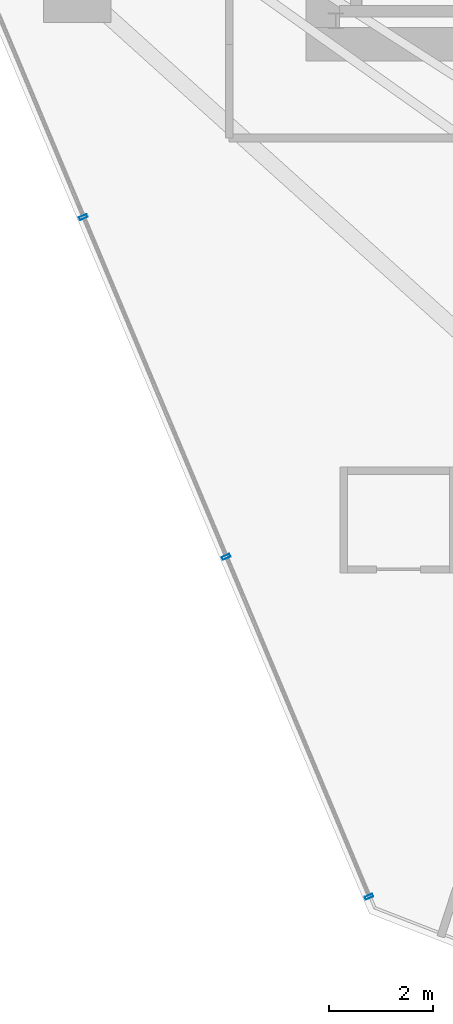
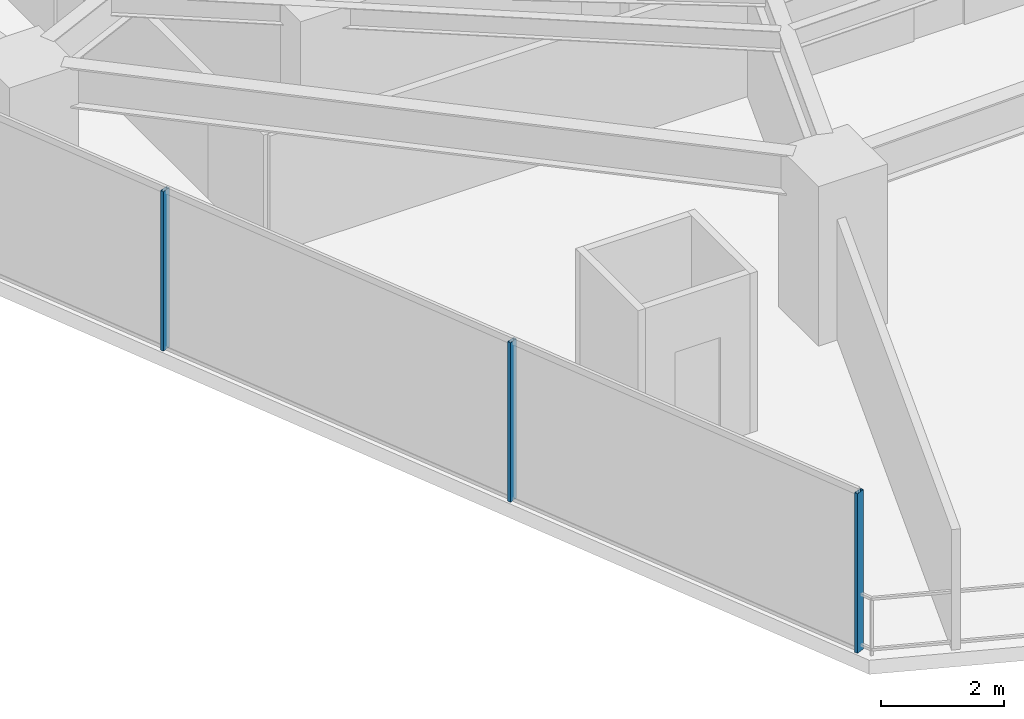
# One storey, part 3 of 30: 3 members, 1 element without a shape of its own.
"""IFC4 building model written with IfcOpenShell, lengths in metres."""

from ifc_helpers import new_model, si_unit, direction, frame, origin, origin_2d, place, context, subcontext, project, spatial, hollow_rectangle, extrude, material, layer, layer_set, material_profile, profile_set, type_object, element, aggregate, save


model = new_model("IFC4")

# Units and contexts
model_context = context("Model", 3, precision=1e-05, world=origin(), true_north=direction((0.0, 1.0)))
body_context = subcontext(model_context, "Body", "Model", "MODEL_VIEW")
ifc_project = project(units=[si_unit("LENGTHUNIT", "METRE"), si_unit("AREAUNIT", "SQUARE_METRE"), si_unit("VOLUMEUNIT", "CUBIC_METRE"), si_unit("PLANEANGLEUNIT", "RADIAN"), si_unit("MASSUNIT", "GRAM", prefix="KILO")], contexts=[model_context])

# Site, building, storey
site_placement = place(None, origin())
site = spatial("IfcSite", under=ifc_project, at=site_placement, CompositionType="ELEMENT")
building_placement = place(site_placement, origin())
building = spatial("IfcBuilding", under=site, at=building_placement, Name="Qarnah Convention Tower", CompositionType="ELEMENT")
storey_placement = place(building_placement, frame((0.0, 0.0, 40.800048828125)))
storey = spatial("IfcBuildingStorey", under=building, at=storey_placement, Name="L09", CompositionType="ELEMENT", Elevation=40.800048828125)

# Curtain wall, members
ifc_material_1 = material(Name="Tempered Low-E dark glass", Category="glass")
ifc_layer = layer(ifc_material_1, 0.16796875)
ifc_layer_set = layer_set([ifc_layer], Name="Tempered Low-E dark glass")
curtain_wall_type = type_object("IfcCurtainWallType", Name="CWS-01", PredefinedType="NOTDEFINED", material=ifc_layer_set)
curtain_wall_placement = place(storey_placement, origin())
curtain_wall = element("IfcCurtainWall", 1, at=curtain_wall_placement, inside=storey, type_object=curtain_wall_type, Name="L09 unitised curtain wall CW-L09-F1", PredefinedType="NOTDEFINED")
ifc_material_2 = material(Name="Black anodised aluminium", Category="aluminium")
ifc_material_profile = material_profile(ifc_material_2, hollow_rectangle(XDim=0.06005859375, YDim=0.159912109375, WallThickness=0.00390625, at=origin_2d()), Name="MUL-60X160")
ifc_profile_set = profile_set([ifc_material_profile], Name="Black anodised aluminium")
member_type = type_object("IfcMemberType", Name="MUL-T1", PredefinedType="MULLION", material=ifc_profile_set)
member_1_placement = place(storey_placement, frame((27.68994140625, 2.201904296875, 0.0), z_axis=(0.0, 0.0, 1.0), x_axis=(-0.387513462631, 0.921864044358, 0.0)))
member_1 = element("IfcMember", 2, at=member_1_placement, type_object=member_type, Name="CW-L09-F1 mullion 1", PredefinedType="MULLION", context=body_context, shape_type="SweptSolid", body=[
    extrude(hollow_rectangle(XDim=0.06005859375, YDim=0.159912109375, WallThickness=0.00390625, at=origin_2d()), origin(), (0.0, 0.0, 1.0), 3.169921875),
])
member_2_placement = place(storey_placement, frame((24.942138671875, 8.73876953125, 0.0), z_axis=(0.0, 0.0, 1.0), x_axis=(-0.387513462631, 0.921864044358, 0.0)))
member_2 = element("IfcMember", 3, at=member_2_placement, type_object=member_type, Name="CW-L09-F1 mullion 2", PredefinedType="MULLION", context=body_context, shape_type="SweptSolid", body=[
    extrude(hollow_rectangle(XDim=0.06005859375, YDim=0.159912109375, WallThickness=0.00390625, at=origin_2d()), origin(), (0.0, 0.0, 1.0), 3.169921875),
])
member_3_placement = place(storey_placement, frame((22.1943359375, 15.275634765625, 0.0), z_axis=(0.0, 0.0, 1.0), x_axis=(-0.387513462631, 0.921864044358, 0.0)))
member_3 = element("IfcMember", 4, at=member_3_placement, type_object=member_type, Name="CW-L09-F1 mullion 3", PredefinedType="MULLION", context=body_context, shape_type="SweptSolid", body=[
    extrude(hollow_rectangle(XDim=0.06005859375, YDim=0.159912109375, WallThickness=0.00390625, at=origin_2d()), origin(), (0.0, 0.0, 1.0), 3.169921875),
])
aggregate(curtain_wall, [member_1, member_2, member_3])

save(model, "model.ifc")
